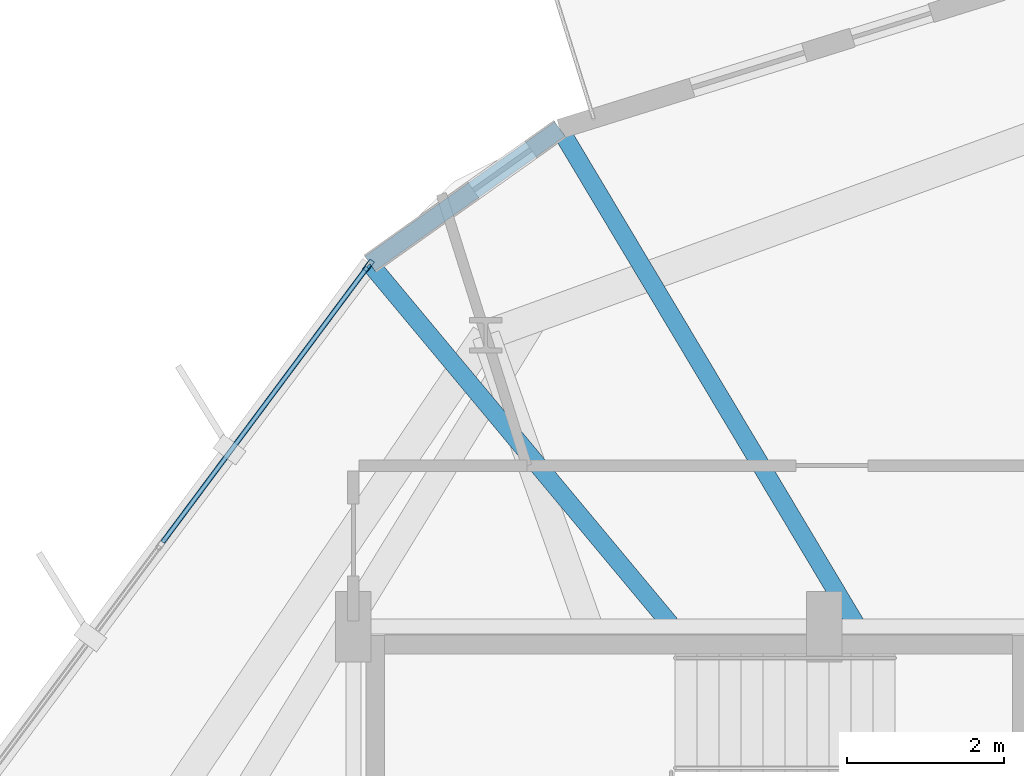
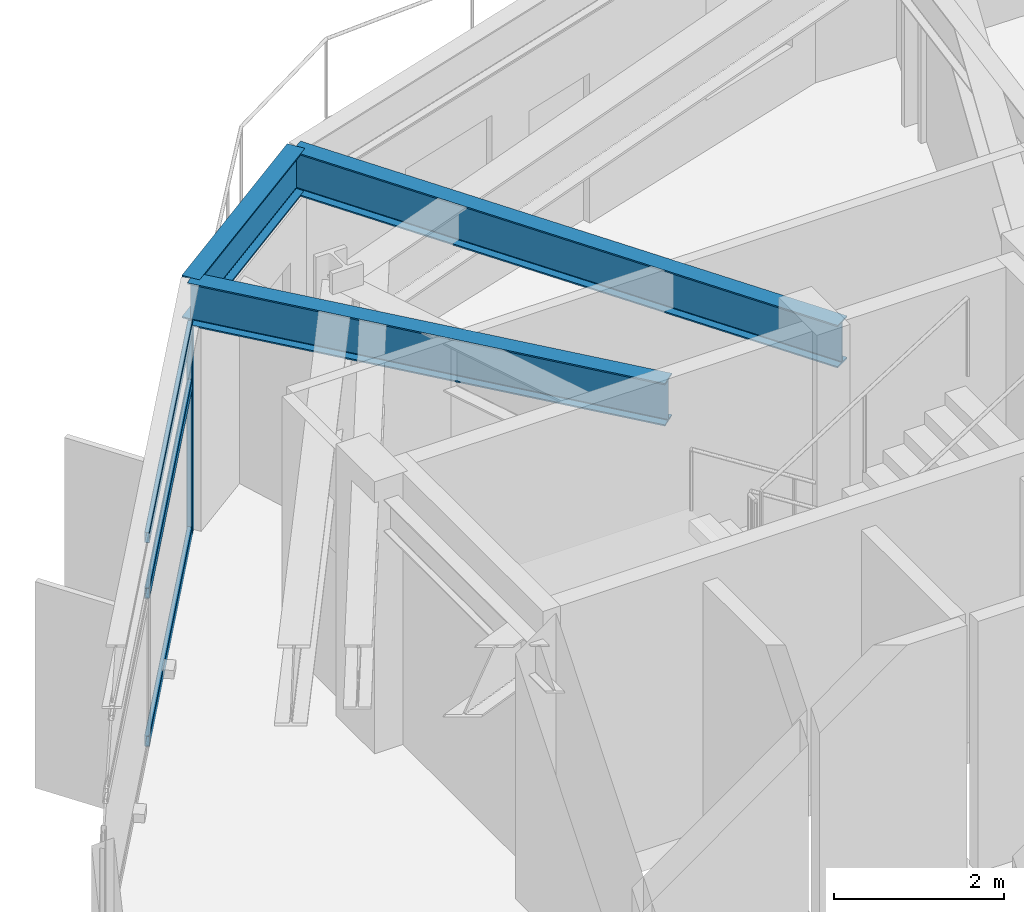
# One storey, part 17 of 27: 4 members, 3 beams, 1 element without a shape of its own.
"""IFC4 building model written with IfcOpenShell, lengths in metres."""

from ifc_helpers import new_model, si_unit, direction, frame, origin, origin_2d, place, context, subcontext, project, spatial, hollow_rectangle, i_section, extrude, material, layer, layer_set, material_profile, profile_set, type_object, element, aggregate, save


model = new_model("IFC4")

# Units and contexts
model_context = context("Model", 3, precision=1e-05, world=origin(), true_north=direction((0.0, 1.0)))
body_context = subcontext(model_context, "Body", "Model", "MODEL_VIEW")
ifc_project = project(units=[si_unit("LENGTHUNIT", "METRE"), si_unit("AREAUNIT", "SQUARE_METRE"), si_unit("VOLUMEUNIT", "CUBIC_METRE"), si_unit("PLANEANGLEUNIT", "RADIAN"), si_unit("MASSUNIT", "GRAM", prefix="KILO")], contexts=[model_context])

# Site, building, storey
site_placement = place(None, origin())
site = spatial("IfcSite", under=ifc_project, at=site_placement, CompositionType="ELEMENT")
building_placement = place(site_placement, origin())
building = spatial("IfcBuilding", under=site, at=building_placement, Name="Soratama Intermodal Tower", CompositionType="ELEMENT")
storey_placement = place(building_placement, frame((0.0, 0.0, 95.199951171875)))
storey = spatial("IfcBuildingStorey", under=building, at=storey_placement, Name="L22", CompositionType="ELEMENT", Elevation=95.199951171875)

# Beams
ifc_material_1 = material(Name="Structural steel ASTM A992 Grade 50", Category="steel")
ifc_material_profile_1 = material_profile(ifc_material_1, i_section(OverallWidth=0.22900390625, OverallDepth=0.612060546875, WebThickness=0.011962890625, FlangeThickness=0.01953125, FilletRadius=0.012939453125, at=origin_2d()), Name="W24X84")
ifc_profile_set_1 = profile_set([ifc_material_profile_1], Name="Structural steel ASTM A992 Grade 50")
beam_type_1 = type_object("IfcBeamType", Name="BM-SPN-W24X84", PredefinedType="SPANDREL", material=ifc_profile_set_1)
beam_1_placement = place(storey_placement, frame((35.23193359375, 41.340087890625, 3.2939453125), z_axis=(-0.815713828325, -0.578455659735, 0.0), x_axis=(0.578455659735, -0.815713828325, 0.0)))
element("IfcBeam", 1, at=beam_1_placement, inside=storey, type_object=beam_type_1, Name="BS-L22-CRN03", PredefinedType="SPANDREL", context=body_context, shape_type="SweptSolid", body=[
    extrude(i_section(OverallWidth=0.22900390625, OverallDepth=0.612060546875, WebThickness=0.011962890625, FlangeThickness=0.01953125, FilletRadius=0.012939453125, at=origin_2d()), origin(), (0.0, 0.0, 1.0), 2.966552734375),
])
ifc_material_2 = material(Name="Structural steel ASTM A992 Grade 50", Category="steel")
ifc_material_profile_2 = material_profile(ifc_material_2, i_section(OverallWidth=0.22900390625, OverallDepth=0.612060546875, WebThickness=0.011962890625, FlangeThickness=0.01953125, FilletRadius=0.012939453125, at=origin_2d()), Name="W24X84")
ifc_profile_set_2 = profile_set([ifc_material_profile_2], Name="Structural steel ASTM A992 Grade 50")
beam_type_2 = type_object("IfcBeamType", Name="BM-TIE-W24X84", PredefinedType="BEAM", material=ifc_profile_set_2)
beam_2_placement = place(storey_placement, frame((39.0009765625, 35.033935546875, 3.2939453125), z_axis=(-0.51302890496, 0.858371331462, 0.0), x_axis=(-0.858371331462, -0.51302890496, 0.0)))
element("IfcBeam", 2, at=beam_2_placement, inside=storey, type_object=beam_type_2, Name="BM-L22-TIE1-03", PredefinedType="BEAM", context=body_context, shape_type="SweptSolid", body=[
    extrude(i_section(OverallWidth=0.22900390625, OverallDepth=0.612060546875, WebThickness=0.011962890625, FlangeThickness=0.01953125, FilletRadius=0.012939453125, at=origin_2d()), origin(), (0.0, 0.0, 1.0), 7.3466796875),
])
beam_3_placement = place(storey_placement, frame((36.639892578125, 35.031005859375, 3.2939453125), z_axis=(-0.640220546198, 0.768191156045, 0.0), x_axis=(-0.768191156045, -0.640220546198, 0.0)))
element("IfcBeam", 3, at=beam_3_placement, inside=storey, type_object=beam_type_2, Name="BM-L22-TIE0-04", PredefinedType="BEAM", context=body_context, shape_type="SweptSolid", body=[
    extrude(i_section(OverallWidth=0.22900390625, OverallDepth=0.612060546875, WebThickness=0.011962890625, FlangeThickness=0.01953125, FilletRadius=0.012939453125, at=origin_2d()), origin(), (0.0, 0.0, 1.0), 5.97900390625),
])

# Curtain wall, members
ifc_material_3 = material(Name="Double-glazed aluminium curtain wall", Category="aluminium")
ifc_layer = layer(ifc_material_3, 0.159912109375)
ifc_layer_set = layer_set([ifc_layer], Name="Double-glazed aluminium curtain wall")
curtain_wall_type = type_object("IfcCurtainWallType", Name="CW-SYS-3", PredefinedType="NOTDEFINED", material=ifc_layer_set)
curtain_wall_placement = place(storey_placement, origin())
curtain_wall = element("IfcCurtainWall", 4, at=curtain_wall_placement, inside=storey, type_object=curtain_wall_type, Name="L22 Faceted Curtain Wall F04", PredefinedType="NOTDEFINED")
ifc_material_4 = material(Name="Anodised aluminium AA 6063-T6", Category="aluminium")
ifc_material_profile_3 = material_profile(ifc_material_4, hollow_rectangle(XDim=0.070068359375, YDim=0.159912109375, WallThickness=0.0048828125, InnerFilletRadius=0.0048828125, OuterFilletRadius=0.010009765625, at=origin_2d()), Name="CWM160X70X5")
ifc_profile_set_3 = profile_set([ifc_material_profile_3], Name="Anodised aluminium AA 6063-T6")
member_type_1 = type_object("IfcMemberType", Name="MT-CWM-3", PredefinedType="MULLION", material=ifc_profile_set_3)
member_1_placement = place(storey_placement, frame((32.7939453125, 39.60009765625, 0.0), z_axis=(0.0, 0.0, 1.0), x_axis=(0.802188958901, -0.597070242281, 0.0)))
member_1 = element("IfcMember", 5, at=member_1_placement, type_object=member_type_1, Name="CW-3 mullion 1", PredefinedType="MULLION", context=body_context, shape_type="SweptSolid", body=[
    extrude(hollow_rectangle(XDim=0.070068359375, YDim=0.159912109375, WallThickness=0.0048828125, InnerFilletRadius=0.0048828125, OuterFilletRadius=0.010009765625, at=origin_2d()), origin(), (0.0, 0.0, 1.0), 2.97900390625),
])
ifc_material_5 = material(Name="Anodised aluminium AA 6063-T6", Category="aluminium")
ifc_material_profile_4 = material_profile(ifc_material_5, hollow_rectangle(XDim=0.06494140625, YDim=0.14990234375, WallThickness=0.0048828125, InnerFilletRadius=0.0048828125, OuterFilletRadius=0.010009765625, at=origin_2d()), Name="CWT150X65X5")
ifc_profile_set_4 = profile_set([ifc_material_profile_4], Name="Anodised aluminium AA 6063-T6")
member_type_2 = type_object("IfcMemberType", Name="TT-CWT-1", PredefinedType="USERDEFINED", material=ifc_profile_set_4)
member_2_placement = place(storey_placement, frame((32.776123046875, 39.575927734375, 0.030029296875), z_axis=(-0.597060166992, -0.802196457853, 0.0), x_axis=(0.802196457853, -0.597060166992, 0.0)))
member_2 = element("IfcMember", 6, at=member_2_placement, type_object=member_type_2, Name="CW-3 transom 1.1", ObjectType="TRANSOM", PredefinedType="USERDEFINED", context=body_context, shape_type="SweptSolid", body=[
    extrude(hollow_rectangle(XDim=0.06494140625, YDim=0.14990234375, WallThickness=0.0048828125, InnerFilletRadius=0.0048828125, OuterFilletRadius=0.010009765625, at=origin_2d()), origin(), (0.0, 0.0, 1.0), 4.3642578125),
])
member_3_placement = place(storey_placement, frame((32.776123046875, 39.575927734375, 2.150146484375), z_axis=(-0.597060166992, -0.802196457853, 0.0), x_axis=(0.802196457853, -0.597060166992, 0.0)))
member_3 = element("IfcMember", 7, at=member_3_placement, type_object=member_type_2, Name="CW-3 transom 1.2", ObjectType="TRANSOM", PredefinedType="USERDEFINED", context=body_context, shape_type="SweptSolid", body=[
    extrude(hollow_rectangle(XDim=0.06494140625, YDim=0.14990234375, WallThickness=0.0048828125, InnerFilletRadius=0.0048828125, OuterFilletRadius=0.010009765625, at=origin_2d()), origin(), (0.0, 0.0, 1.0), 4.3642578125),
])
member_4_placement = place(storey_placement, frame((32.776123046875, 39.575927734375, 2.948974609375), z_axis=(-0.597060166992, -0.802196457853, 0.0), x_axis=(0.802196457853, -0.597060166992, 0.0)))
member_4 = element("IfcMember", 8, at=member_4_placement, type_object=member_type_2, Name="CW-3 transom 1.3", ObjectType="TRANSOM", PredefinedType="USERDEFINED", context=body_context, shape_type="SweptSolid", body=[
    extrude(hollow_rectangle(XDim=0.06494140625, YDim=0.14990234375, WallThickness=0.0048828125, InnerFilletRadius=0.0048828125, OuterFilletRadius=0.010009765625, at=origin_2d()), origin(), (0.0, 0.0, 1.0), 4.3642578125),
])
aggregate(curtain_wall, [member_1, member_2, member_3, member_4])

save(model, "model.ifc")
